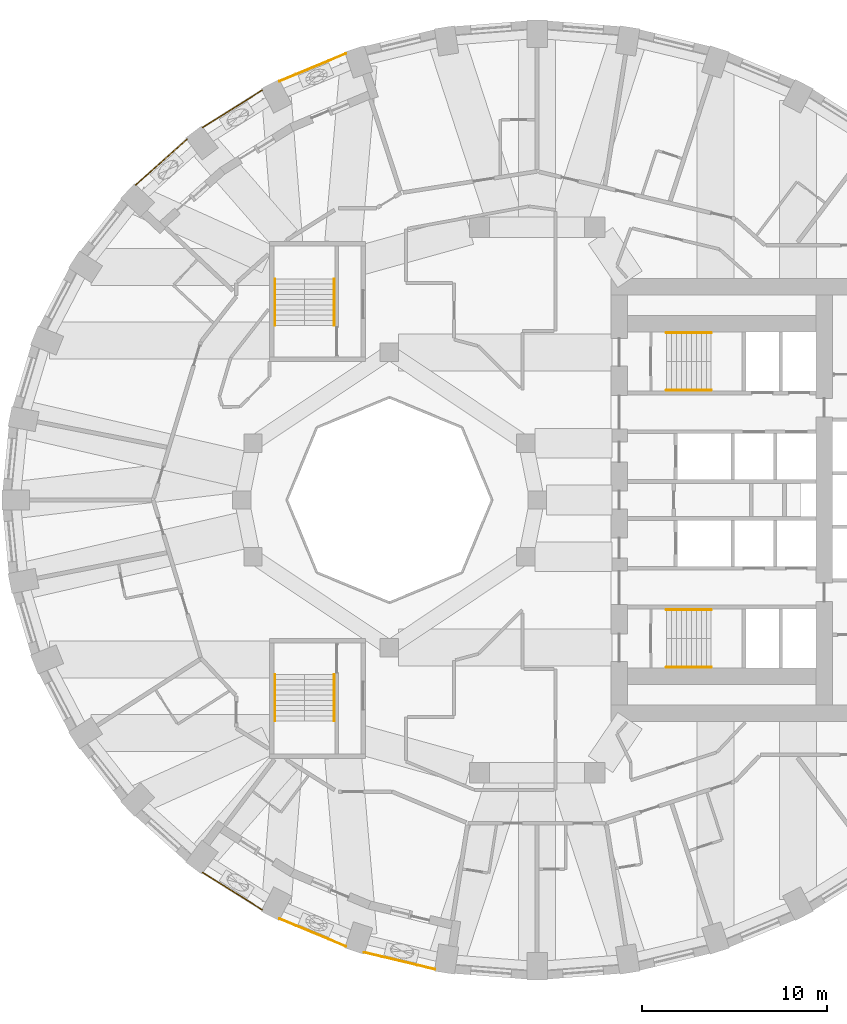
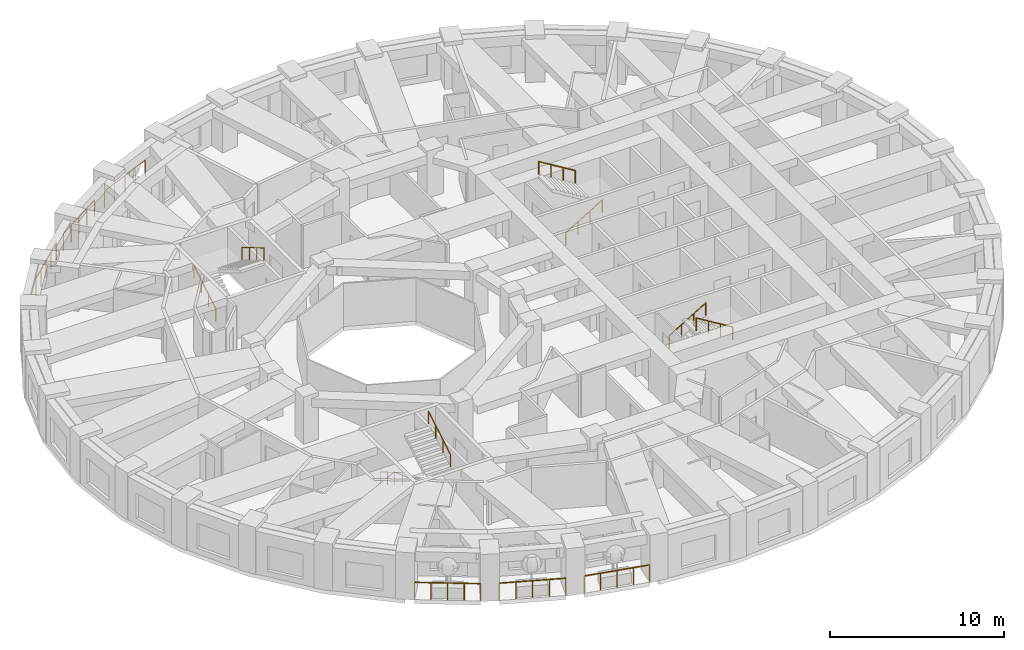
# One storey, part 11 of 13: 14 railings.
"""IFC4 building model written with IfcOpenShell, lengths in metres."""

from ifc_helpers import new_model, si_unit, direction, frame, origin, origin_2d, place, context, subcontext, project, spatial, circle, extrude, material, type_object, element, save


model = new_model("IFC4")

# Units and contexts
model_context = context("Model", 3, precision=1e-05, world=origin(), true_north=direction((0.0, 1.0)))
body_context = subcontext(model_context, "Body", "Model", "MODEL_VIEW")
ifc_project = project(units=[si_unit("LENGTHUNIT", "METRE"), si_unit("AREAUNIT", "SQUARE_METRE"), si_unit("VOLUMEUNIT", "CUBIC_METRE"), si_unit("PLANEANGLEUNIT", "RADIAN"), si_unit("MASSUNIT", "GRAM", prefix="KILO")], contexts=[model_context])

# Site, building, storey
site_placement = place(None, origin())
site = spatial("IfcSite", under=ifc_project, at=site_placement, CompositionType="ELEMENT")
building_placement = place(site_placement, origin())
building = spatial("IfcBuilding", under=site, at=building_placement, Name="Taillehof Tower", CompositionType="ELEMENT")
storey_placement = place(building_placement, frame((0.0, 0.0, 48.10009765625)))
storey = spatial("IfcBuildingStorey", under=building, at=storey_placement, Name="L12", CompositionType="ELEMENT", Elevation=48.10009765625)

# Railings
ifc_material_1 = material(Name="Stainless steel balustrade", Category="steel")
railing_type_1 = type_object("IfcRailingType", Name="Balcony guard 1200", PredefinedType="GUARDRAIL", material=ifc_material_1)
railing_1_placement = place(storey_placement, frame((-18.12255859375, -20.176025390625, 0.0)))
element("IfcRailing", 1, at=railing_1_placement, inside=storey, type_object=railing_type_1, Name="Balcony guard L12 bay 24", PredefinedType="GUARDRAIL", context=body_context, shape_type="SweptSolid", body=[
    extrude(circle(Radius=0.02392578125, at=origin_2d()), frame((0.0, 0.0, 1.17578125), z_axis=(0.847656150947, -0.530545992127, 0.0), x_axis=(0.530545992127, 0.847656150947, 0.0)), (0.0, 0.0, 1.0), 3.810302734375),
    extrude(circle(Radius=0.02099609375, at=origin_2d()), origin(), (0.0, 0.0, 1.0), 1.15185546875),
    extrude(circle(Radius=0.02099609375, at=origin_2d()), frame((0.807373046875, -0.50537109375, 0.0)), (0.0, 0.0, 1.0), 1.15185546875),
    extrude(circle(Radius=0.02099609375, at=origin_2d()), frame((1.61474609375, -1.0107421875, 0.0)), (0.0, 0.0, 1.0), 1.15185546875),
    extrude(circle(Radius=0.02099609375, at=origin_2d()), frame((2.42236328125, -1.51611328125, 0.0)), (0.0, 0.0, 1.0), 1.15185546875),
    extrude(circle(Radius=0.02099609375, at=origin_2d()), frame((3.229736328125, -2.021484375, 0.0)), (0.0, 0.0, 1.0), 1.15185546875),
])
railing_2_placement = place(storey_placement, frame((-13.951171875, -22.684326171875, 0.0)))
element("IfcRailing", 2, at=railing_2_placement, inside=storey, type_object=railing_type_1, Name="Balcony guard L12 bay 25", PredefinedType="GUARDRAIL", context=body_context, shape_type="SweptSolid", body=[
    extrude(circle(Radius=0.02392578125, at=origin_2d()), frame((0.0, 0.0, 1.17578125), z_axis=(0.923011806559, -0.384771627011, 0.0), x_axis=(0.384771627011, 0.923011806559, 0.0)), (0.0, 0.0, 1.0), 3.88330078125),
    extrude(circle(Radius=0.02099609375, at=origin_2d()), origin(), (0.0, 0.0, 1.0), 1.15185546875),
    extrude(circle(Radius=0.02099609375, at=origin_2d()), frame((0.89599609375, -0.37353515625, 0.0)), (0.0, 0.0, 1.0), 1.15185546875),
    extrude(circle(Radius=0.02099609375, at=origin_2d()), frame((1.7919921875, -0.7470703125, 0.0)), (0.0, 0.0, 1.0), 1.15185546875),
    extrude(circle(Radius=0.02099609375, at=origin_2d()), frame((2.688232421875, -1.12060546875, 0.0)), (0.0, 0.0, 1.0), 1.15185546875),
    extrude(circle(Radius=0.02099609375, at=origin_2d()), frame((3.584228515625, -1.494140625, 0.0)), (0.0, 0.0, 1.0), 1.15185546875),
])
railing_3_placement = place(storey_placement, frame((-9.35888671875, -24.5068359375, 0.0)))
element("IfcRailing", 3, at=railing_3_placement, inside=storey, type_object=railing_type_1, Name="Balcony guard L12 bay 26", PredefinedType="GUARDRAIL", context=body_context, shape_type="SweptSolid", body=[
    extrude(circle(Radius=0.02392578125, at=origin_2d()), frame((0.0, 0.0, 1.17578125), z_axis=(0.972495275648, -0.232922602687, 0.0), x_axis=(0.232922602687, 0.972495275648, 0.0)), (0.0, 0.0, 1.0), 3.93701171875),
    extrude(circle(Radius=0.02099609375, at=origin_2d()), origin(), (0.0, 0.0, 1.0), 1.15185546875),
    extrude(circle(Radius=0.02099609375, at=origin_2d()), frame((0.95703125, -0.229248046875, 0.0)), (0.0, 0.0, 1.0), 1.15185546875),
    extrude(circle(Radius=0.02099609375, at=origin_2d()), frame((1.914306640625, -0.45849609375, 0.0)), (0.0, 0.0, 1.0), 1.15185546875),
    extrude(circle(Radius=0.02099609375, at=origin_2d()), frame((2.87158203125, -0.687744140625, 0.0)), (0.0, 0.0, 1.0), 1.15185546875),
    extrude(circle(Radius=0.02099609375, at=origin_2d()), frame((3.82861328125, -0.9169921875, 0.0)), (0.0, 0.0, 1.0), 1.15185546875),
])
railing_4_placement = place(storey_placement, frame((-10.366943359375, 24.178466796875, 0.0)))
element("IfcRailing", 4, at=railing_4_placement, inside=storey, type_object=railing_type_1, Name="Balcony guard L12 bay 12", PredefinedType="GUARDRAIL", context=body_context, shape_type="SweptSolid", body=[
    extrude(circle(Radius=0.02392578125, at=origin_2d()), frame((0.0, 0.0, 1.17578125), z_axis=(-0.923011806559, -0.384771627011, 0.0), x_axis=(0.384771627011, -0.923011806559, 0.0)), (0.0, 0.0, 1.0), 3.88330078125),
    extrude(circle(Radius=0.02099609375, at=origin_2d()), origin(), (0.0, 0.0, 1.0), 1.15185546875),
    extrude(circle(Radius=0.02099609375, at=origin_2d()), frame((-0.89599609375, -0.37353515625, 0.0)), (0.0, 0.0, 1.0), 1.15185546875),
    extrude(circle(Radius=0.02099609375, at=origin_2d()), frame((-1.7919921875, -0.7470703125, 0.0)), (0.0, 0.0, 1.0), 1.15185546875),
    extrude(circle(Radius=0.02099609375, at=origin_2d()), frame((-2.688232421875, -1.12060546875, 0.0)), (0.0, 0.0, 1.0), 1.15185546875),
    extrude(circle(Radius=0.02099609375, at=origin_2d()), frame((-3.584228515625, -1.494140625, 0.0)), (0.0, 0.0, 1.0), 1.15185546875),
])
railing_5_placement = place(storey_placement, frame((-14.892822265625, 22.197509765625, 0.0)))
element("IfcRailing", 5, at=railing_5_placement, inside=storey, type_object=railing_type_1, Name="Balcony guard L12 bay 13", PredefinedType="GUARDRAIL", context=body_context, shape_type="SweptSolid", body=[
    extrude(circle(Radius=0.02392578125, at=origin_2d()), frame((0.0, 0.0, 1.17578125), z_axis=(-0.847656150947, -0.530545992127, 0.0), x_axis=(0.530545992127, -0.847656150947, 0.0)), (0.0, 0.0, 1.0), 3.810302734375),
    extrude(circle(Radius=0.02099609375, at=origin_2d()), origin(), (0.0, 0.0, 1.0), 1.15185546875),
    extrude(circle(Radius=0.02099609375, at=origin_2d()), frame((-0.807373046875, -0.50537109375, 0.0)), (0.0, 0.0, 1.0), 1.15185546875),
    extrude(circle(Radius=0.02099609375, at=origin_2d()), frame((-1.61474609375, -1.0107421875, 0.0)), (0.0, 0.0, 1.0), 1.15185546875),
    extrude(circle(Radius=0.02099609375, at=origin_2d()), frame((-2.42236328125, -1.51611328125, 0.0)), (0.0, 0.0, 1.0), 1.15185546875),
    extrude(circle(Radius=0.02099609375, at=origin_2d()), frame((-3.229736328125, -2.021484375, 0.0)), (0.0, 0.0, 1.0), 1.15185546875),
])
railing_6_placement = place(storey_placement, frame((-18.969970703125, 19.539306640625, 0.0)))
element("IfcRailing", 6, at=railing_6_placement, inside=storey, type_object=railing_type_1, Name="Balcony guard L12 bay 14", PredefinedType="GUARDRAIL", context=body_context, shape_type="SweptSolid", body=[
    extrude(circle(Radius=0.02392578125, at=origin_2d()), frame((0.0, 0.0, 1.17578125), z_axis=(-0.745548021299, -0.666451909696, 0.0), x_axis=(0.666451909696, -0.745548021299, 0.0)), (0.0, 0.0, 1.0), 3.7255859375),
    extrude(circle(Radius=0.02099609375, at=origin_2d()), origin(), (0.0, 0.0, 1.0), 1.15185546875),
    extrude(circle(Radius=0.02099609375, at=origin_2d()), frame((-0.6943359375, -0.62060546875, 0.0)), (0.0, 0.0, 1.0), 1.15185546875),
    extrude(circle(Radius=0.02099609375, at=origin_2d()), frame((-1.388671875, -1.241455078125, 0.0)), (0.0, 0.0, 1.0), 1.15185546875),
    extrude(circle(Radius=0.02099609375, at=origin_2d()), frame((-2.083251953125, -1.8623046875, 0.0)), (0.0, 0.0, 1.0), 1.15185546875),
    extrude(circle(Radius=0.02099609375, at=origin_2d()), frame((-2.777587890625, -2.48291015625, 0.0)), (0.0, 0.0, 1.0), 1.15185546875),
])
ifc_material_2 = material(Name="Stainless steel", Category="steel")
railing_type_2 = type_object("IfcRailingType", Name="Stair handrail 900", PredefinedType="HANDRAIL", material=ifc_material_2)
railing_7_placement = place(storey_placement, frame((7.0, 5.949951171875, 0.164794921875)))
element("IfcRailing", 7, at=railing_7_placement, inside=storey, type_object=railing_type_2, Name="Stair S1 handrail", PredefinedType="HANDRAIL", context=body_context, shape_type="SweptSolid", body=[
    extrude(circle(Radius=0.02392578125, at=origin_2d()), frame((0.0, 0.0, 0.8759765625), z_axis=(0.853258522278, 0.0, 0.521488153423), x_axis=(0.0, 1.0, 0.0)), (0.0, 0.0, 1.0), 2.847900390625),
    extrude(circle(Radius=0.02099609375, at=origin_2d()), origin(), (0.0, 0.0, 1.0), 0.851806640625),
    extrude(circle(Radius=0.02099609375, at=origin_2d()), frame((0.81005859375, 0.0, 0.4951171875)), (0.0, 0.0, 1.0), 0.851806640625),
    extrude(circle(Radius=0.02099609375, at=origin_2d()), frame((1.619873046875, 0.0, 0.989990234375)), (0.0, 0.0, 1.0), 0.851806640625),
    extrude(circle(Radius=0.02099609375, at=origin_2d()), frame((2.429931640625, 0.0, 1.485107421875)), (0.0, 0.0, 1.0), 0.851806640625),
])
railing_8_placement = place(storey_placement, frame((9.429931640625, 9.050048828125, 1.81494140625)))
element("IfcRailing", 8, at=railing_8_placement, inside=storey, type_object=railing_type_2, Name="Stair S1 handrail", PredefinedType="HANDRAIL", context=body_context, shape_type="SweptSolid", body=[
    extrude(circle(Radius=0.02392578125, at=origin_2d()), frame((0.0, 0.0, 0.8759765625), z_axis=(-0.853296667938, 0.0, 0.521425734392), x_axis=(0.0, -1.0, 0.0)), (0.0, 0.0, 1.0), 2.84765625),
    extrude(circle(Radius=0.02099609375, at=origin_2d()), origin(), (0.0, 0.0, 1.0), 0.851806640625),
    extrude(circle(Radius=0.02099609375, at=origin_2d()), frame((-0.81005859375, 0.0, 0.494873046875)), (0.0, 0.0, 1.0), 0.851806640625),
    extrude(circle(Radius=0.02099609375, at=origin_2d()), frame((-1.619873046875, 0.0, 0.989990234375)), (0.0, 0.0, 1.0), 0.851806640625),
    extrude(circle(Radius=0.02099609375, at=origin_2d()), frame((-2.429931640625, 0.0, 1.48486328125)), (0.0, 0.0, 1.0), 0.851806640625),
])
railing_9_placement = place(storey_placement, frame((7.0, -5.949951171875, 0.164794921875)))
element("IfcRailing", 9, at=railing_9_placement, inside=storey, type_object=railing_type_2, Name="Stair S2 handrail", PredefinedType="HANDRAIL", context=body_context, shape_type="SweptSolid", body=[
    extrude(circle(Radius=0.02392578125, at=origin_2d()), frame((0.0, 0.0, 0.8759765625), z_axis=(0.853258522278, 0.0, 0.521488153423), x_axis=(0.0, 1.0, 0.0)), (0.0, 0.0, 1.0), 2.847900390625),
    extrude(circle(Radius=0.02099609375, at=origin_2d()), origin(), (0.0, 0.0, 1.0), 0.851806640625),
    extrude(circle(Radius=0.02099609375, at=origin_2d()), frame((0.81005859375, 0.0, 0.4951171875)), (0.0, 0.0, 1.0), 0.851806640625),
    extrude(circle(Radius=0.02099609375, at=origin_2d()), frame((1.619873046875, 0.0, 0.989990234375)), (0.0, 0.0, 1.0), 0.851806640625),
    extrude(circle(Radius=0.02099609375, at=origin_2d()), frame((2.429931640625, 0.0, 1.485107421875)), (0.0, 0.0, 1.0), 0.851806640625),
])
railing_10_placement = place(storey_placement, frame((9.429931640625, -9.050048828125, 1.81494140625)))
element("IfcRailing", 10, at=railing_10_placement, inside=storey, type_object=railing_type_2, Name="Stair S2 handrail", PredefinedType="HANDRAIL", context=body_context, shape_type="SweptSolid", body=[
    extrude(circle(Radius=0.02392578125, at=origin_2d()), frame((0.0, 0.0, 0.8759765625), z_axis=(-0.853296667938, 0.0, 0.521425734392), x_axis=(0.0, -1.0, 0.0)), (0.0, 0.0, 1.0), 2.84765625),
    extrude(circle(Radius=0.02099609375, at=origin_2d()), origin(), (0.0, 0.0, 1.0), 0.851806640625),
    extrude(circle(Radius=0.02099609375, at=origin_2d()), frame((-0.81005859375, 0.0, 0.494873046875)), (0.0, 0.0, 1.0), 0.851806640625),
    extrude(circle(Radius=0.02099609375, at=origin_2d()), frame((-1.619873046875, 0.0, 0.989990234375)), (0.0, 0.0, 1.0), 0.851806640625),
    extrude(circle(Radius=0.02099609375, at=origin_2d()), frame((-2.429931640625, 0.0, 1.48486328125)), (0.0, 0.0, 1.0), 0.851806640625),
])
railing_11_placement = place(storey_placement, frame((-14.199951171875, 9.449951171875, 0.164794921875)))
element("IfcRailing", 11, at=railing_11_placement, inside=storey, type_object=railing_type_2, Name="Stair S3 handrail", PredefinedType="HANDRAIL", context=body_context, shape_type="SweptSolid", body=[
    extrude(circle(Radius=0.02392578125, at=origin_2d()), frame((0.0, 0.0, 0.8759765625), z_axis=(0.0, 0.86152411907, 0.507716645641), x_axis=(-1.0, 0.0, 0.0)), (0.0, 0.0, 1.0), 2.925048828125),
    extrude(circle(Radius=0.02099609375, at=origin_2d()), origin(), (0.0, 0.0, 1.0), 0.851806640625),
    extrude(circle(Radius=0.02099609375, at=origin_2d()), frame((0.0, 0.840087890625, 0.4951171875)), (0.0, 0.0, 1.0), 0.851806640625),
    extrude(circle(Radius=0.02099609375, at=origin_2d()), frame((0.0, 1.679931640625, 0.989990234375)), (0.0, 0.0, 1.0), 0.851806640625),
    extrude(circle(Radius=0.02099609375, at=origin_2d()), frame((0.0, 2.52001953125, 1.485107421875)), (0.0, 0.0, 1.0), 0.851806640625),
])
railing_12_placement = place(storey_placement, frame((-11.0, 11.969970703125, 1.81494140625)))
element("IfcRailing", 12, at=railing_12_placement, inside=storey, type_object=railing_type_2, Name="Stair S3 handrail", PredefinedType="HANDRAIL", context=body_context, shape_type="SweptSolid", body=[
    extrude(circle(Radius=0.02392578125, at=origin_2d()), frame((0.0, 0.0, 0.8759765625), z_axis=(0.0, -0.861560626758, 0.507654692109), x_axis=(1.0, 0.0, 0.0)), (0.0, 0.0, 1.0), 2.925048828125),
    extrude(circle(Radius=0.02099609375, at=origin_2d()), origin(), (0.0, 0.0, 1.0), 0.851806640625),
    extrude(circle(Radius=0.02099609375, at=origin_2d()), frame((0.0, -0.840087890625, 0.494873046875)), (0.0, 0.0, 1.0), 0.851806640625),
    extrude(circle(Radius=0.02099609375, at=origin_2d()), frame((0.0, -1.679931640625, 0.989990234375)), (0.0, 0.0, 1.0), 0.851806640625),
    extrude(circle(Radius=0.02099609375, at=origin_2d()), frame((0.0, -2.52001953125, 1.48486328125)), (0.0, 0.0, 1.0), 0.851806640625),
])
railing_13_placement = place(storey_placement, frame((-14.199951171875, -9.449951171875, 0.164794921875)))
element("IfcRailing", 13, at=railing_13_placement, inside=storey, type_object=railing_type_2, Name="Stair S4 handrail", PredefinedType="HANDRAIL", context=body_context, shape_type="SweptSolid", body=[
    extrude(circle(Radius=0.02392578125, at=origin_2d()), frame((0.0, 0.0, 0.8759765625), z_axis=(0.0, -0.86152411907, 0.507716645641), x_axis=(1.0, 0.0, 0.0)), (0.0, 0.0, 1.0), 2.925048828125),
    extrude(circle(Radius=0.02099609375, at=origin_2d()), origin(), (0.0, 0.0, 1.0), 0.851806640625),
    extrude(circle(Radius=0.02099609375, at=origin_2d()), frame((0.0, -0.840087890625, 0.4951171875)), (0.0, 0.0, 1.0), 0.851806640625),
    extrude(circle(Radius=0.02099609375, at=origin_2d()), frame((0.0, -1.679931640625, 0.989990234375)), (0.0, 0.0, 1.0), 0.851806640625),
    extrude(circle(Radius=0.02099609375, at=origin_2d()), frame((0.0, -2.52001953125, 1.485107421875)), (0.0, 0.0, 1.0), 0.851806640625),
])
railing_14_placement = place(storey_placement, frame((-11.0, -11.969970703125, 1.81494140625)))
element("IfcRailing", 14, at=railing_14_placement, inside=storey, type_object=railing_type_2, Name="Stair S4 handrail", PredefinedType="HANDRAIL", context=body_context, shape_type="SweptSolid", body=[
    extrude(circle(Radius=0.02392578125, at=origin_2d()), frame((0.0, 0.0, 0.8759765625), z_axis=(0.0, 0.861560626758, 0.507654692109), x_axis=(-1.0, 0.0, 0.0)), (0.0, 0.0, 1.0), 2.925048828125),
    extrude(circle(Radius=0.02099609375, at=origin_2d()), origin(), (0.0, 0.0, 1.0), 0.851806640625),
    extrude(circle(Radius=0.02099609375, at=origin_2d()), frame((0.0, 0.840087890625, 0.494873046875)), (0.0, 0.0, 1.0), 0.851806640625),
    extrude(circle(Radius=0.02099609375, at=origin_2d()), frame((0.0, 1.679931640625, 0.989990234375)), (0.0, 0.0, 1.0), 0.851806640625),
    extrude(circle(Radius=0.02099609375, at=origin_2d()), frame((0.0, 2.52001953125, 1.48486328125)), (0.0, 0.0, 1.0), 0.851806640625),
])

save(model, "model.ifc")
